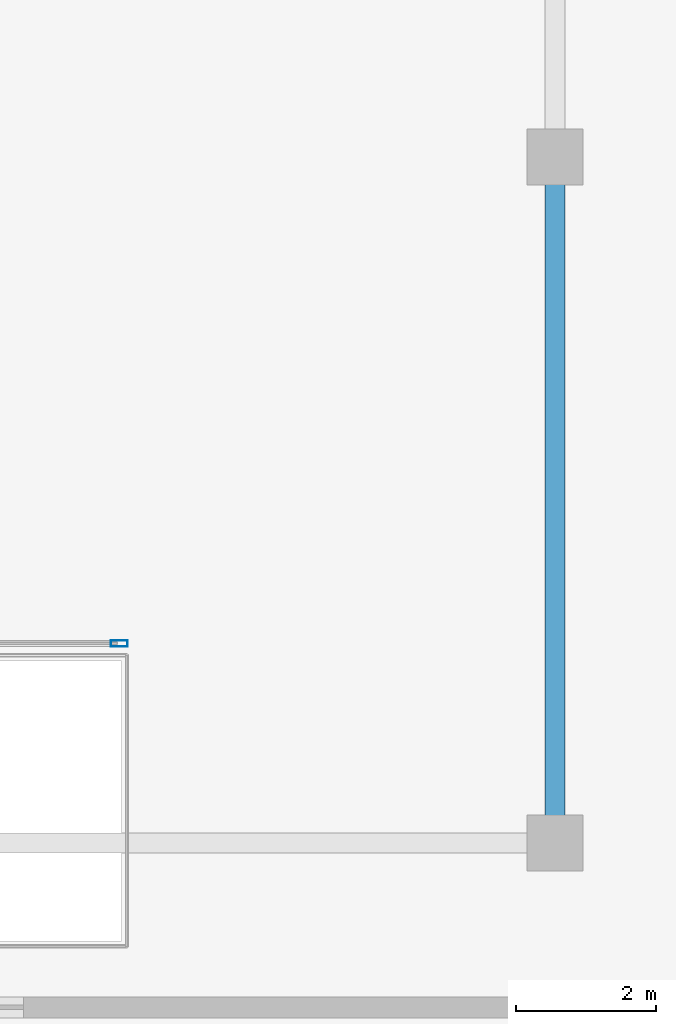
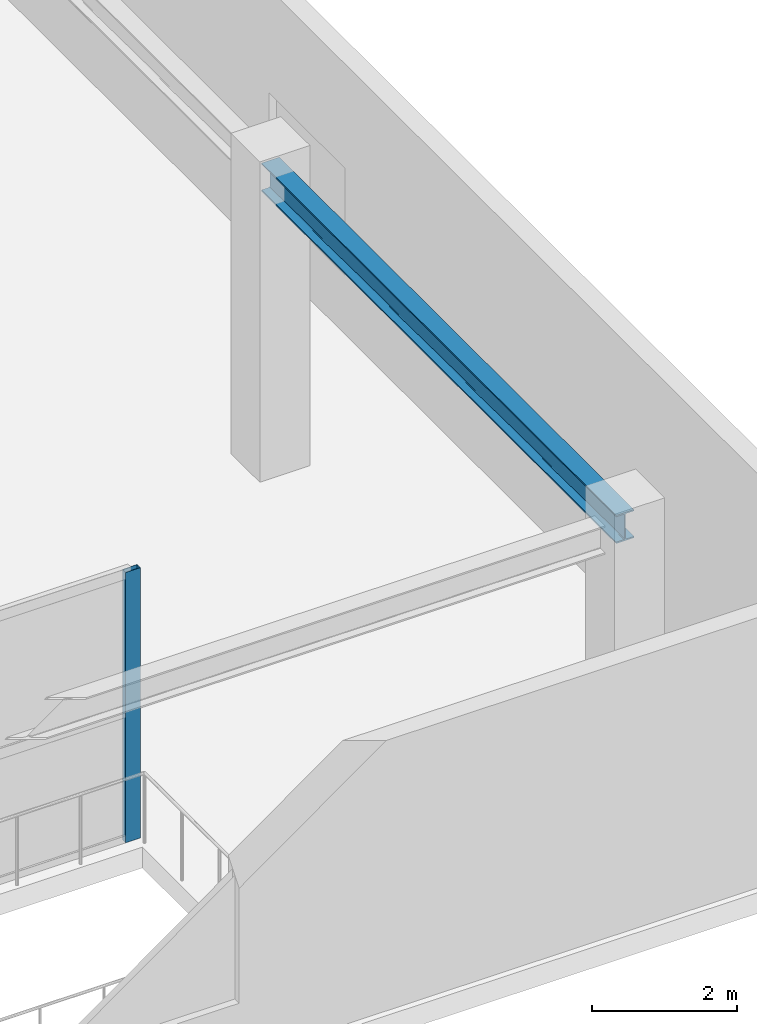
# One storey, part 4 of 16: 1 beam, 1 member, 1 element without a shape of its own.
"""IFC4 building model written with IfcOpenShell, lengths in metres."""

from ifc_helpers import new_model, si_unit, direction, frame, origin, origin_2d, place, context, subcontext, project, spatial, hollow_rectangle, i_section, extrude, material, layer, layer_set, material_profile, profile_set, type_object, element, aggregate, save


model = new_model("IFC4")

# Units and contexts
model_context = context("Model", 3, precision=1e-05, world=origin(), true_north=direction((0.0, 1.0)))
body_context = subcontext(model_context, "Body", "Model", "MODEL_VIEW")
ifc_project = project(units=[si_unit("LENGTHUNIT", "METRE"), si_unit("AREAUNIT", "SQUARE_METRE"), si_unit("VOLUMEUNIT", "CUBIC_METRE"), si_unit("PLANEANGLEUNIT", "RADIAN"), si_unit("MASSUNIT", "GRAM", prefix="KILO")], contexts=[model_context])

# Site, building, storey
site_placement = place(None, origin())
site = spatial("IfcSite", under=ifc_project, at=site_placement, CompositionType="ELEMENT")
building_placement = place(site_placement, origin())
building = spatial("IfcBuilding", under=site, at=building_placement, Name="Bramvorn Convention Spire", CompositionType="ELEMENT")
storey_placement = place(building_placement, frame((0.0, 0.0, 18.60009765625)))
storey = spatial("IfcBuildingStorey", under=building, at=storey_placement, Name="L03", CompositionType="ELEMENT", Elevation=18.60009765625)

# Beam
ifc_material_1 = material(Name="Steel CSA G40.21 Grade 350 (350W)", Category="steel")
ifc_material_profile_1 = material_profile(ifc_material_1, i_section(OverallWidth=0.283935546875, OverallDepth=0.47607421875, WebThickness=0.014892578125, FlangeThickness=0.02392578125, FilletRadius=0.01806640625, at=origin_2d()))
ifc_profile_set_1 = profile_set([ifc_material_profile_1], Name="Steel CSA G40.21 Grade 350 (350W) - W460X158")
beam_type = type_object("IfcBeamType", Name="BM-W460X158", PredefinedType="SPANDREL", material=ifc_profile_set_1)
beam_placement = place(storey_placement, frame((73.199951171875, 2.60009765625, 4.81201171875), z_axis=(0.0, 1.0, 0.0), x_axis=(-1.0, 0.0, 0.0)))
element("IfcBeam", 1, at=beam_placement, inside=storey, type_object=beam_type, Name="L03 podium spandrel beam 05", PredefinedType="SPANDREL", context=body_context, shape_type="SweptSolid", body=[
    extrude(i_section(OverallWidth=0.283935546875, OverallDepth=0.47607421875, WebThickness=0.014892578125, FlangeThickness=0.02392578125, FilletRadius=0.01806640625, at=origin_2d()), origin(), (0.0, 0.0, 1.0), 9.7998046875),
])

# Curtain wall, member
ifc_material_2 = material(Name="Anodised Bronze Unitised Curtain Wall", Category="aluminium")
ifc_layer = layer(ifc_material_2, 0.219970703125)
ifc_layer_set = layer_set([ifc_layer], Name="Anodised Bronze Unitised Curtain Wall - CW-POD-LANCET")
curtain_wall_type = type_object("IfcCurtainWallType", Name="CW-POD-LANCET", PredefinedType="USERDEFINED", material=ifc_layer_set)
curtain_wall_placement = place(storey_placement, origin())
curtain_wall = element("IfcCurtainWall", 2, at=curtain_wall_placement, inside=storey, type_object=curtain_wall_type, Name="L03 SE colonnade lancet curtain wall", ObjectType="UNITISED CURTAIN WALL", PredefinedType="USERDEFINED")
ifc_material_3 = material(Name="Anodised Bronze Aluminium 6063-T6", Category="aluminium")
ifc_material_profile_2 = material_profile(ifc_material_3, hollow_rectangle(XDim=0.090087890625, YDim=0.239990234375, WallThickness=0.00439453125, InnerFilletRadius=0.0009765625, OuterFilletRadius=0.00439453125, at=origin_2d()))
ifc_profile_set_2 = profile_set([ifc_material_profile_2], Name="Anodised Bronze Aluminium 6063-T6 - CWM90X240")
member_type = type_object("IfcMemberType", Name="CW-MUL-220", PredefinedType="MULLION", material=ifc_profile_set_2)
member_placement = place(storey_placement, frame((66.969970703125, 5.449951171875, 0.0), z_axis=(0.0, 0.0, 1.0), x_axis=(0.0, 1.0, 0.0)))
member = element("IfcMember", 3, at=member_placement, type_object=member_type, Name="CW1 mullion 3", PredefinedType="MULLION", context=body_context, shape_type="SweptSolid", body=[
    extrude(hollow_rectangle(XDim=0.090087890625, YDim=0.239990234375, WallThickness=0.00439453125, InnerFilletRadius=0.0009765625, OuterFilletRadius=0.00439453125, at=origin_2d()), origin(), (0.0, 0.0, 1.0), 4.559814453125),
])
aggregate(curtain_wall, [member])

save(model, "model.ifc")
